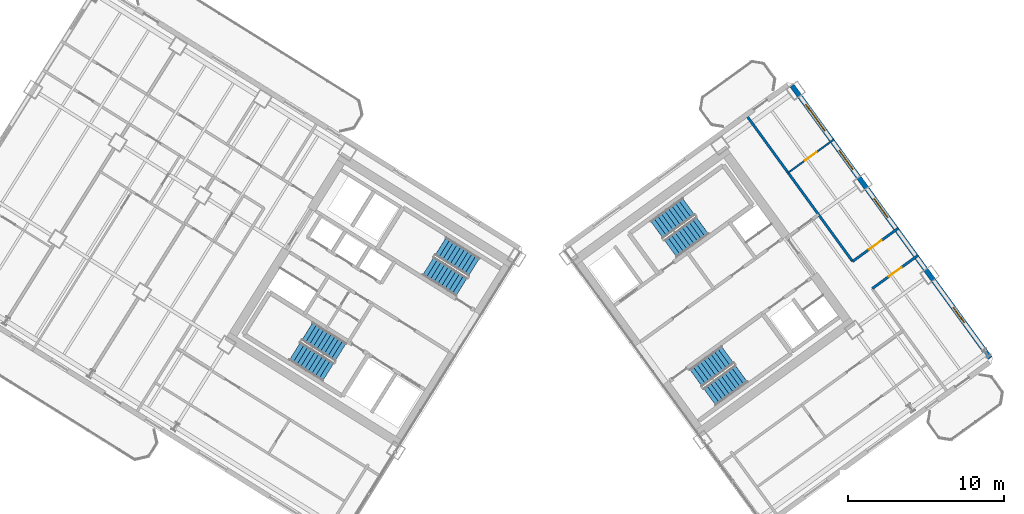
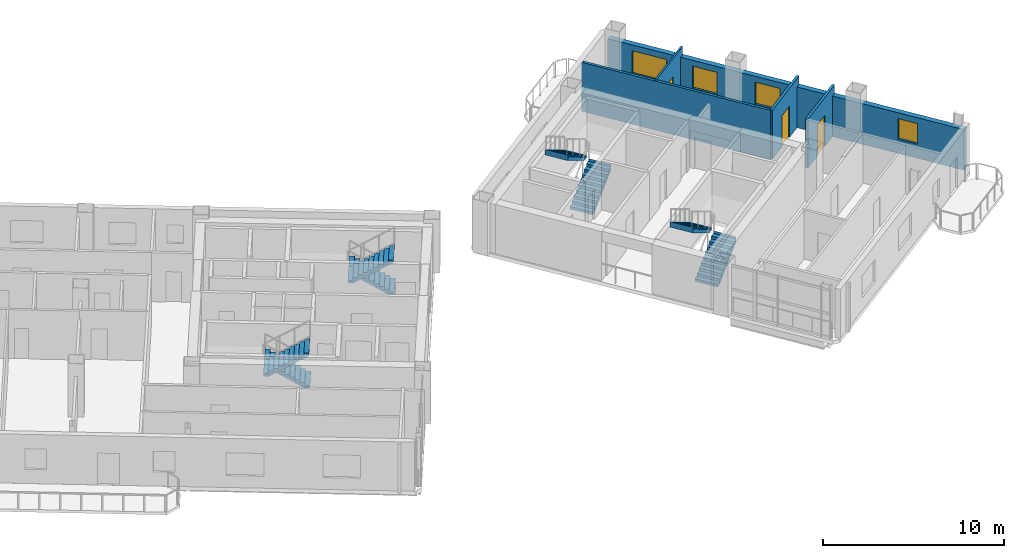
# One storey, part 14 of 18: 8 stair flights, 5 walls, 4 windows, 3 doors, 7 openings, 4 elements without a shape of their own.
"""IFC4 building model written with IfcOpenShell, lengths in metres."""

from ifc_helpers import new_model, si_unit, direction, frame, frame_2d, origin, place, context, subcontext, project, spatial, polyline, rectangle, outline, extrude, source, transform, mapped, material, layer, layer_set, type_object, element, fill, aggregate, save


model = new_model("IFC4")

# Units and contexts
model_context = context("Model", 3, precision=1e-05, world=origin(), true_north=direction((0.0, 1.0)))
body_context = subcontext(model_context, "Body", "Model", "MODEL_VIEW")
ifc_project = project(units=[si_unit("LENGTHUNIT", "METRE"), si_unit("AREAUNIT", "SQUARE_METRE"), si_unit("VOLUMEUNIT", "CUBIC_METRE"), si_unit("PLANEANGLEUNIT", "RADIAN"), si_unit("MASSUNIT", "GRAM", prefix="KILO")], contexts=[model_context])

# Site, building, storey
site_placement = place(None, origin())
site = spatial("IfcSite", under=ifc_project, at=site_placement, CompositionType="ELEMENT")
building_placement = place(site_placement, origin())
building = spatial("IfcBuilding", under=site, at=building_placement, Name="Tlacorven Tower", CompositionType="ELEMENT")
storey_placement = place(building_placement, frame((0.0, 0.0, 132.60009765625)))
storey = spatial("IfcBuildingStorey", under=building, at=storey_placement, Name="L33", CompositionType="ELEMENT", Elevation=132.60009765625)

# Wall
ifc_material_1 = material(Name="Gypsum plasterboard acoustic partition", Category="gypsum")
ifc_layer_1 = layer(ifc_material_1, 0.159912109375)
ifc_layer_set_1 = layer_set([ifc_layer_1], Name="Gypsum plasterboard acoustic partition")
wall_type_1 = type_object("IfcWallType", Name="WL-DEM-160", PredefinedType="PARTITIONING", material=ifc_layer_set_1)
wall_1_placement = place(storey_placement, frame((62.328125, 24.214599609375, 0.0), z_axis=(0.0, 0.0, 1.0), x_axis=(-0.587778600963, 0.809021826807, 0.0)))
element("IfcWall", 1, at=wall_1_placement, inside=storey, type_object=wall_type_1, Name="L33 partition 70", PredefinedType="PARTITIONING", context=body_context, shape_type="SweptSolid", body=[
    extrude(rectangle(XDim=11.449951171875, YDim=0.159912109375, at=frame_2d((5.72509765625, 0.0))), origin(), (0.0, 0.0, 1.0), 3.309814453125),
])

# Wall, opening, door
wall_2_placement = place(storey_placement, frame((63.592041015625, 22.475341796875, 0.0), z_axis=(0.0, 0.0, 1.0), x_axis=(0.809035546126, 0.58775971715, 0.0)))
wall_2 = element("IfcWall", 2, at=wall_2_placement, inside=storey, type_object=wall_type_1, Name="L33 partition 72", PredefinedType="PARTITIONING", context=body_context, shape_type="SweptSolid", body=[
    extrude(rectangle(XDim=3.6298828125, YDim=0.159912109375, at=frame_2d((1.81494140625, 0.0))), origin(), (0.0, 0.0, 1.0), 3.309814453125),
])
opening_1_placement = place(wall_2_placement, frame((1.304931640625, 0.0, 0.0)))
opening_1 = element("IfcOpeningElement", 3, at=opening_1_placement, cuts=wall_2, Name="Opening D11", PredefinedType="OPENING", context=body_context, shape_type="SweptSolid", body=[
    extrude(rectangle(XDim=1.0, YDim=2.10009765625, at=frame_2d((0.5, 1.050048828125))), frame((0.0, 0.08984375, 0.0), z_axis=(0.0, -1.0, 0.0), x_axis=(1.0, 0.0, 0.0)), (0.0, 0.0, 1.0), 0.179931640625),
])
ifc_material_2 = material(Name="Fire-rated steel door assembly", Category="steel")
door_type_1 = type_object("IfcDoorType", Name="DR-FLT-FD60-1000", OperationType="NOTDEFINED", PredefinedType="DOOR", material=ifc_material_2)
shared_shape_1 = source(origin(), body_context, "Body", "SweptSolid", [
    extrude(rectangle(XDim=1.0, YDim=2.10009765625, at=frame_2d((0.5, 1.050048828125))), frame((0.0, 0.02490234375, 0.0), z_axis=(0.0, -1.0, 0.0), x_axis=(1.0, 0.0, 0.0)), (0.0, 0.0, 1.0), 0.050048828125),
])
door_1_placement = place(opening_1_placement, origin())
door_1 = element("IfcDoor", 4, at=door_1_placement, inside=storey, type_object=door_type_1, Name="L33 door 043", OperationType="SINGLE_SWING_LEFT", OverallHeight=2.10009765625, OverallWidth=1.0, PredefinedType="DOOR", context=body_context, shape_type="MappedRepresentation", body=[
    mapped(shared_shape_1, transform((0.0, 0.0, 0.0), scale=1.0)),
])
fill(opening_1, door_1)

wall_3_placement = place(storey_placement, frame((62.328125, 24.214599609375, 0.0), z_axis=(0.0, 0.0, 1.0), x_axis=(0.809003564202, 0.587803736896, 0.0)))
wall_3 = element("IfcWall", 5, at=wall_3_placement, inside=storey, type_object=wall_type_1, Name="L33 partition 73", PredefinedType="PARTITIONING", context=body_context, shape_type="SweptSolid", body=[
    extrude(rectangle(XDim=3.630126953125, YDim=0.159912109375, at=frame_2d((1.81494140625, 0.0))), origin(), (0.0, 0.0, 1.0), 3.309814453125),
])
opening_2_placement = place(wall_3_placement, frame((1.304931640625, 0.0, 0.0)))
opening_2 = element("IfcOpeningElement", 6, at=opening_2_placement, cuts=wall_3, Name="Opening D11", PredefinedType="OPENING", context=body_context, shape_type="SweptSolid", body=[
    extrude(rectangle(XDim=1.0, YDim=2.10009765625, at=frame_2d((0.5, 1.050048828125))), frame((0.0, 0.08984375, 0.0), z_axis=(0.0, -1.0, 0.0), x_axis=(1.0, 0.0, 0.0)), (0.0, 0.0, 1.0), 0.179931640625),
])
door_2_placement = place(opening_2_placement, origin())
door_2 = element("IfcDoor", 7, at=door_2_placement, inside=storey, type_object=door_type_1, Name="L33 door 041", OperationType="SINGLE_SWING_LEFT", OverallHeight=2.10009765625, OverallWidth=1.0, PredefinedType="DOOR", context=body_context, shape_type="MappedRepresentation", body=[
    mapped(shared_shape_1, transform((0.0, 0.0, 0.0), scale=1.0)),
])
fill(opening_2, door_2)

# Wall, openings, windows
ifc_material_3 = material(Name="Precast concrete C45/55", Category="concrete")
ifc_layer_2 = layer(ifc_material_3, 0.320068359375)
ifc_layer_set_2 = layer_set([ifc_layer_2], Name="Precast concrete C45/55")
wall_type_2 = type_object("IfcWallType", Name="WL-EXT-320", PredefinedType="STANDARD", material=ifc_layer_set_2)
wall_4_placement = place(storey_placement, frame((58.45458984375, 35.483642578125, 0.0), z_axis=(0.0, 0.0, 1.0), x_axis=(0.587783625747, -0.809018176127, 0.0)))
wall_4 = element("IfcWall", 8, at=wall_4_placement, inside=storey, type_object=wall_type_2, Name="L33 Masonry-Frame Recessed Facade Wall 5", PredefinedType="STANDARD", context=body_context, shape_type="SweptSolid", body=[
    extrude(rectangle(XDim=21.58740234375, YDim=0.320068359375, at=frame_2d((10.793701171875, 0.0))), origin(), (0.0, 0.0, 1.0), 2.744873046875),
])
opening_3_placement = place(wall_4_placement, frame((1.47509765625, 0.0, 0.800048828125)))
opening_3 = element("IfcOpeningElement", 9, at=opening_3_placement, cuts=wall_4, Name="Opening WN04", PredefinedType="OPENING", context=body_context, shape_type="SweptSolid", body=[
    extrude(rectangle(XDim=2.10009765625, YDim=1.550048828125, at=frame_2d((1.050048828125, 0.77490234375))), frame((0.0, 0.169921875, 0.0), z_axis=(0.0, -1.0, 0.0), x_axis=(1.0, 0.0, 0.0)), (0.0, 0.0, 1.0), 0.340087890625),
])
opening_4_placement = place(wall_4_placement, frame((5.130126953125, 0.0, 0.85009765625)))
opening_4 = element("IfcOpeningElement", 10, at=opening_4_placement, cuts=wall_4, Name="Opening WN02", PredefinedType="OPENING", context=body_context, shape_type="SweptSolid", body=[
    extrude(rectangle(XDim=1.5, YDim=1.5, at=frame_2d((0.75, 0.75))), frame((0.0, 0.169921875, 0.0), z_axis=(0.0, -1.0, 0.0), x_axis=(1.0, 0.0, 0.0)), (0.0, 0.0, 1.0), 0.340087890625),
])
opening_5_placement = place(wall_4_placement, frame((8.9287109375, 0.0, 0.85009765625)))
opening_5 = element("IfcOpeningElement", 11, at=opening_5_placement, cuts=wall_4, Name="Opening WN02", PredefinedType="OPENING", context=body_context, shape_type="SweptSolid", body=[
    extrude(rectangle(XDim=1.5, YDim=1.5, at=frame_2d((0.75, 0.75))), frame((0.0, 0.169921875, 0.0), z_axis=(0.0, -1.0, 0.0), x_axis=(1.0, 0.0, 0.0)), (0.0, 0.0, 1.0), 0.340087890625),
])
opening_6_placement = place(wall_4_placement, frame((17.581298828125, 0.0, 0.949951171875)))
opening_6 = element("IfcOpeningElement", 12, at=opening_6_placement, cuts=wall_4, Name="Opening WN03", PredefinedType="OPENING", context=body_context, shape_type="SweptSolid", body=[
    extrude(rectangle(XDim=1.199951171875, YDim=1.39990234375, at=frame_2d((0.60009765625, 0.699951171875))), frame((0.0, 0.169921875, 0.0), z_axis=(0.0, -1.0, 0.0), x_axis=(1.0, 0.0, 0.0)), (0.0, 0.0, 1.0), 0.340087890625),
])
ifc_material_4 = material(Name="Dark solar low-E double glazing in anodised aluminium frame", Category="aluminium")
window_type_1 = type_object("IfcWindowType", Name="WN-APT-2100X1750", PartitioningType="SINGLE_PANEL", PredefinedType="WINDOW", material=ifc_material_4)
shared_shape_2 = source(origin(), body_context, "Body", "SweptSolid", [
    extrude(rectangle(XDim=2.10009765625, YDim=1.550048828125, at=frame_2d((1.050048828125, 0.77490234375))), frame((0.0, 0.030029296875, 0.0), z_axis=(0.0, -1.0, 0.0), x_axis=(1.0, 0.0, 0.0)), (0.0, 0.0, 1.0), 0.06005859375),
])
window_1_placement = place(opening_3_placement, origin())
window_1 = element("IfcWindow", 13, at=window_1_placement, inside=storey, type_object=window_type_1, Name="L33 Recessed Masonry-Frame Window L33-05.1", OverallHeight=1.550048828125, OverallWidth=2.10009765625, PartitioningType="SINGLE_PANEL", PredefinedType="WINDOW", context=body_context, shape_type="MappedRepresentation", body=[
    mapped(shared_shape_2, transform((0.0, 0.0, 0.0), scale=1.0)),
])
fill(opening_3, window_1)
window_type_2 = type_object("IfcWindowType", Name="WN-APT-1200X1500", PartitioningType="SINGLE_PANEL", PredefinedType="WINDOW", material=ifc_material_4)
shared_shape_3 = source(origin(), body_context, "Body", "SweptSolid", [
    extrude(rectangle(XDim=1.199951171875, YDim=1.39990234375, at=frame_2d((0.60009765625, 0.699951171875))), frame((0.0, 0.030029296875, 0.0), z_axis=(0.0, -1.0, 0.0), x_axis=(1.0, 0.0, 0.0)), (0.0, 0.0, 1.0), 0.06005859375),
])
window_2_placement = place(opening_6_placement, origin())
window_2 = element("IfcWindow", 14, at=window_2_placement, inside=storey, type_object=window_type_2, Name="L33 Recessed Masonry-Frame Window L33-05.4", OverallHeight=1.39990234375, OverallWidth=1.199951171875, PartitioningType="SINGLE_PANEL", PredefinedType="WINDOW", context=body_context, shape_type="MappedRepresentation", body=[
    mapped(shared_shape_3, transform((0.0, 0.0, 0.0), scale=1.0)),
])
fill(opening_6, window_2)
window_type_3 = type_object("IfcWindowType", Name="WN-APT-1500X1650", PartitioningType="SINGLE_PANEL", PredefinedType="WINDOW", material=ifc_material_4)
shared_shape_4 = source(origin(), body_context, "Body", "SweptSolid", [
    extrude(rectangle(XDim=1.5, YDim=1.5, at=frame_2d((0.75, 0.75))), frame((0.0, 0.030029296875, 0.0), z_axis=(0.0, -1.0, 0.0), x_axis=(1.0, 0.0, 0.0)), (0.0, 0.0, 1.0), 0.06005859375),
])
window_3_placement = place(opening_4_placement, origin())
window_3 = element("IfcWindow", 15, at=window_3_placement, inside=storey, type_object=window_type_3, Name="L33 Recessed Masonry-Frame Window L33-05.2", OverallHeight=1.5, OverallWidth=1.5, PartitioningType="SINGLE_PANEL", PredefinedType="WINDOW", context=body_context, shape_type="MappedRepresentation", body=[
    mapped(shared_shape_4, transform((0.0, 0.0, 0.0), scale=1.0)),
])
fill(opening_4, window_3)
window_4_placement = place(opening_5_placement, origin())
window_4 = element("IfcWindow", 16, at=window_4_placement, inside=storey, type_object=window_type_3, Name="L33 Recessed Masonry-Frame Window L33-05.3", OverallHeight=1.5, OverallWidth=1.5, PartitioningType="SINGLE_PANEL", PredefinedType="WINDOW", context=body_context, shape_type="MappedRepresentation", body=[
    mapped(shared_shape_4, transform((0.0, 0.0, 0.0), scale=1.0)),
])
fill(opening_5, window_4)

# Wall, opening, door
ifc_material_5 = material(Name="Gypsum plasterboard partition", Category="gypsum")
ifc_layer_3 = layer(ifc_material_5, 0.110107421875)
ifc_layer_set_3 = layer_set([ifc_layer_3], Name="Gypsum plasterboard partition")
wall_type_3 = type_object("IfcWallType", Name="WL-INT-110", PredefinedType="PARTITIONING", material=ifc_layer_set_3)
wall_5_placement = place(storey_placement, frame((58.19482421875, 29.903564453125, 0.0), z_axis=(0.0, 0.0, 1.0), x_axis=(0.809005039917, 0.58780170584, 0.0)))
wall_5 = element("IfcWall", 17, at=wall_5_placement, inside=storey, type_object=wall_type_3, Name="L33 partition 74", PredefinedType="PARTITIONING", context=body_context, shape_type="SweptSolid", body=[
    extrude(rectangle(XDim=3.610107421875, YDim=0.110107421875, at=frame_2d((1.80517578125, 0.0))), origin(), (0.0, 0.0, 1.0), 3.309814453125),
])
opening_7_placement = place(wall_5_placement, frame((1.344970703125, 0.0, 0.0)))
opening_7 = element("IfcOpeningElement", 18, at=opening_7_placement, cuts=wall_5, Name="Opening D12", PredefinedType="OPENING", context=body_context, shape_type="SweptSolid", body=[
    extrude(rectangle(XDim=0.919921875, YDim=2.080078125, at=frame_2d((0.4599609375, 1.0400390625))), frame((0.0, 0.06494140625, 0.0), z_axis=(0.0, -1.0, 0.0), x_axis=(1.0, 0.0, 0.0)), (0.0, 0.0, 1.0), 0.130126953125),
])
ifc_material_6 = material(Name="Powder-coated aluminium and timber door", Category="wood")
door_type_2 = type_object("IfcDoorType", Name="DR-INT-ROOM-0920", OperationType="NOTDEFINED", PredefinedType="DOOR", material=ifc_material_6)
shared_shape_5 = source(origin(), body_context, "Body", "SweptSolid", [
    extrude(rectangle(XDim=0.919921875, YDim=2.080078125, at=frame_2d((0.4599609375, 1.0400390625))), frame((0.0, 0.02490234375, 0.0), z_axis=(0.0, -1.0, 0.0), x_axis=(1.0, 0.0, 0.0)), (0.0, 0.0, 1.0), 0.050048828125),
])
door_3_placement = place(opening_7_placement, origin())
door_3 = element("IfcDoor", 19, at=door_3_placement, inside=storey, type_object=door_type_2, Name="L33 door 042", OperationType="SINGLE_SWING_RIGHT", OverallHeight=2.080078125, OverallWidth=0.919921875, PredefinedType="DOOR", context=body_context, shape_type="MappedRepresentation", body=[
    mapped(shared_shape_5, transform((0.0, 0.0, 0.0), scale=1.0)),
])
fill(opening_7, door_3)

# Stair, stair flights
ifc_material_7 = material(Name="Concrete C40/50", Category="concrete")
stair_type = type_object("IfcStairType", Name="ST-CORE-DLG", PredefinedType="HALF_TURN_STAIR", material=ifc_material_7)
stair_1_placement = place(storey_placement, origin())
stair_1 = element("IfcStair", 20, at=stair_1_placement, inside=storey, type_object=stair_type, Name="L33 Protected Exit Stair West 1", PredefinedType="HALF_TURN_STAIR")
stair_flight_type = type_object("IfcStairFlightType", Name="SFL-RC-1380", PredefinedType="STRAIGHT", material=ifc_material_7)
shared_shape_6 = source(origin(), body_context, "Body", "SweptSolid", [
    extrude(outline(polyline([(-0.0029296875, -0.0029296875), (-0.0029296875, 0.179931640625), (0.280029296875, 0.179931640625), (0.280029296875, 0.360107421875), (0.56005859375, 0.360107421875), (0.56005859375, 0.5400390625), (0.840087890625, 0.5400390625), (0.840087890625, 0.719970703125), (1.1201171875, 0.719970703125), (1.1201171875, 0.89990234375), (1.39990234375, 0.89990234375), (1.39990234375, 1.080078125), (1.679931640625, 1.080078125), (1.679931640625, 1.260009765625), (1.9599609375, 1.260009765625), (1.9599609375, 1.43994140625), (2.239990234375, 1.43994140625), (2.239990234375, 1.6201171875), (2.52001953125, 1.6201171875), (2.52001953125, 1.800048828125), (2.52294921875, 1.800048828125), (2.52294921875, 1.429931640625), (2.52001953125, 1.429931640625), (0.295654296875, 0.0), (0.295654296875, -0.0029296875), (-0.0029296875, -0.0029296875)])), frame((0.0, 0.68994140625, 0.0), z_axis=(0.0, -1.0, 0.0), x_axis=(1.0, 0.0, 0.0)), (0.0, 0.0, 1.0), 1.3798828125),
])
stair_flight_1_placement = place(storey_placement, frame((29.499755859375, 18.39453125, 0.0), z_axis=(0.0, 0.0, 1.0), x_axis=(-0.848048096156, 0.529919264233, 0.0)))
stair_flight_1 = element("IfcStairFlight", 21, at=stair_flight_1_placement, type_object=stair_flight_type, Name="ST-W1 flight 1", NumberOfRisers=10, NumberOfTreads=9, PredefinedType="STRAIGHT", RiserHeight=0.18, TreadLength=0.28, context=body_context, shape_type="MappedRepresentation", body=[
    mapped(shared_shape_6, transform((0.0, 0.0, 0.0), scale=1.0)),
])
stair_flight_2_placement = place(storey_placement, frame((26.56787109375, 18.4580078125, 1.7998046875), z_axis=(0.0, 0.0, 1.0), x_axis=(0.848048096156, -0.529919264233, 0.0)))
stair_flight_2 = element("IfcStairFlight", 22, at=stair_flight_2_placement, type_object=stair_flight_type, Name="ST-W1 flight 2", NumberOfRisers=10, NumberOfTreads=9, PredefinedType="STRAIGHT", RiserHeight=0.18, TreadLength=0.28, context=body_context, shape_type="MappedRepresentation", body=[
    mapped(shared_shape_6, transform((0.0, 0.0, 0.0), scale=1.0)),
])
aggregate(stair_1, [stair_flight_1, stair_flight_2])

stair_2_placement = place(storey_placement, origin())
stair_2 = element("IfcStair", 23, at=stair_2_placement, inside=storey, type_object=stair_type, Name="L33 Protected Exit Stair West 2", PredefinedType="HALF_TURN_STAIR")
stair_flight_3_placement = place(storey_placement, frame((38.051513671875, 23.852294921875, 0.0), z_axis=(0.0, 0.0, 1.0), x_axis=(-0.848048096156, 0.529919264233, 0.0)))
stair_flight_3 = element("IfcStairFlight", 24, at=stair_flight_3_placement, type_object=stair_flight_type, Name="ST-W2 flight 1", NumberOfRisers=10, NumberOfTreads=9, PredefinedType="STRAIGHT", RiserHeight=0.18, TreadLength=0.28, context=body_context, shape_type="MappedRepresentation", body=[
    mapped(shared_shape_6, transform((0.0, 0.0, 0.0), scale=1.0)),
])
stair_flight_4_placement = place(storey_placement, frame((35.119384765625, 23.91552734375, 1.7998046875), z_axis=(0.0, 0.0, 1.0), x_axis=(0.848048096156, -0.529919264233, 0.0)))
stair_flight_4 = element("IfcStairFlight", 25, at=stair_flight_4_placement, type_object=stair_flight_type, Name="ST-W2 flight 2", NumberOfRisers=10, NumberOfTreads=9, PredefinedType="STRAIGHT", RiserHeight=0.18, TreadLength=0.28, context=body_context, shape_type="MappedRepresentation", body=[
    mapped(shared_shape_6, transform((0.0, 0.0, 0.0), scale=1.0)),
])
aggregate(stair_2, [stair_flight_3, stair_flight_4])

stair_3_placement = place(storey_placement, origin())
stair_3 = element("IfcStair", 26, at=stair_3_placement, inside=storey, type_object=stair_type, Name="L33 Protected Exit Stair East 1", PredefinedType="HALF_TURN_STAIR")
stair_flight_5_placement = place(storey_placement, frame((50.6533203125, 25.0400390625, 0.0), z_axis=(0.0, 0.0, 1.0), x_axis=(0.809016994375, 0.587785252292, 0.0)))
stair_flight_5 = element("IfcStairFlight", 27, at=stair_flight_5_placement, type_object=stair_flight_type, Name="ST-E1 flight 1", NumberOfRisers=10, NumberOfTreads=9, PredefinedType="STRAIGHT", RiserHeight=0.18, TreadLength=0.28, context=body_context, shape_type="MappedRepresentation", body=[
    mapped(shared_shape_6, transform((0.0, 0.0, 0.0), scale=1.0)),
])
stair_flight_6_placement = place(storey_placement, frame((51.810546875, 27.734619140625, 1.7998046875), z_axis=(0.0, 0.0, 1.0), x_axis=(-0.809016994375, -0.587785252292, 0.0)))
stair_flight_6 = element("IfcStairFlight", 28, at=stair_flight_6_placement, type_object=stair_flight_type, Name="ST-E1 flight 2", NumberOfRisers=10, NumberOfTreads=9, PredefinedType="STRAIGHT", RiserHeight=0.18, TreadLength=0.28, context=body_context, shape_type="MappedRepresentation", body=[
    mapped(shared_shape_6, transform((0.0, 0.0, 0.0), scale=1.0)),
])
aggregate(stair_3, [stair_flight_5, stair_flight_6])

stair_4_placement = place(storey_placement, origin())
stair_4 = element("IfcStair", 29, at=stair_4_placement, inside=storey, type_object=stair_type, Name="L33 Protected Exit Stair East 2", PredefinedType="HALF_TURN_STAIR")
stair_flight_7_placement = place(storey_placement, frame((53.157470703125, 15.536865234375, 0.0), z_axis=(0.0, 0.0, 1.0), x_axis=(0.809016994375, 0.587785252292, 0.0)))
stair_flight_7 = element("IfcStairFlight", 30, at=stair_flight_7_placement, type_object=stair_flight_type, Name="ST-E2 flight 1", NumberOfRisers=10, NumberOfTreads=9, PredefinedType="STRAIGHT", RiserHeight=0.18, TreadLength=0.28, context=body_context, shape_type="MappedRepresentation", body=[
    mapped(shared_shape_6, transform((0.0, 0.0, 0.0), scale=1.0)),
])
stair_flight_8_placement = place(storey_placement, frame((54.314453125, 18.231689453125, 1.7998046875), z_axis=(0.0, 0.0, 1.0), x_axis=(-0.809016994375, -0.587785252292, 0.0)))
stair_flight_8 = element("IfcStairFlight", 31, at=stair_flight_8_placement, type_object=stair_flight_type, Name="ST-E2 flight 2", NumberOfRisers=10, NumberOfTreads=9, PredefinedType="STRAIGHT", RiserHeight=0.18, TreadLength=0.28, context=body_context, shape_type="MappedRepresentation", body=[
    mapped(shared_shape_6, transform((0.0, 0.0, 0.0), scale=1.0)),
])
aggregate(stair_4, [stair_flight_7, stair_flight_8])

save(model, "model.ifc")
